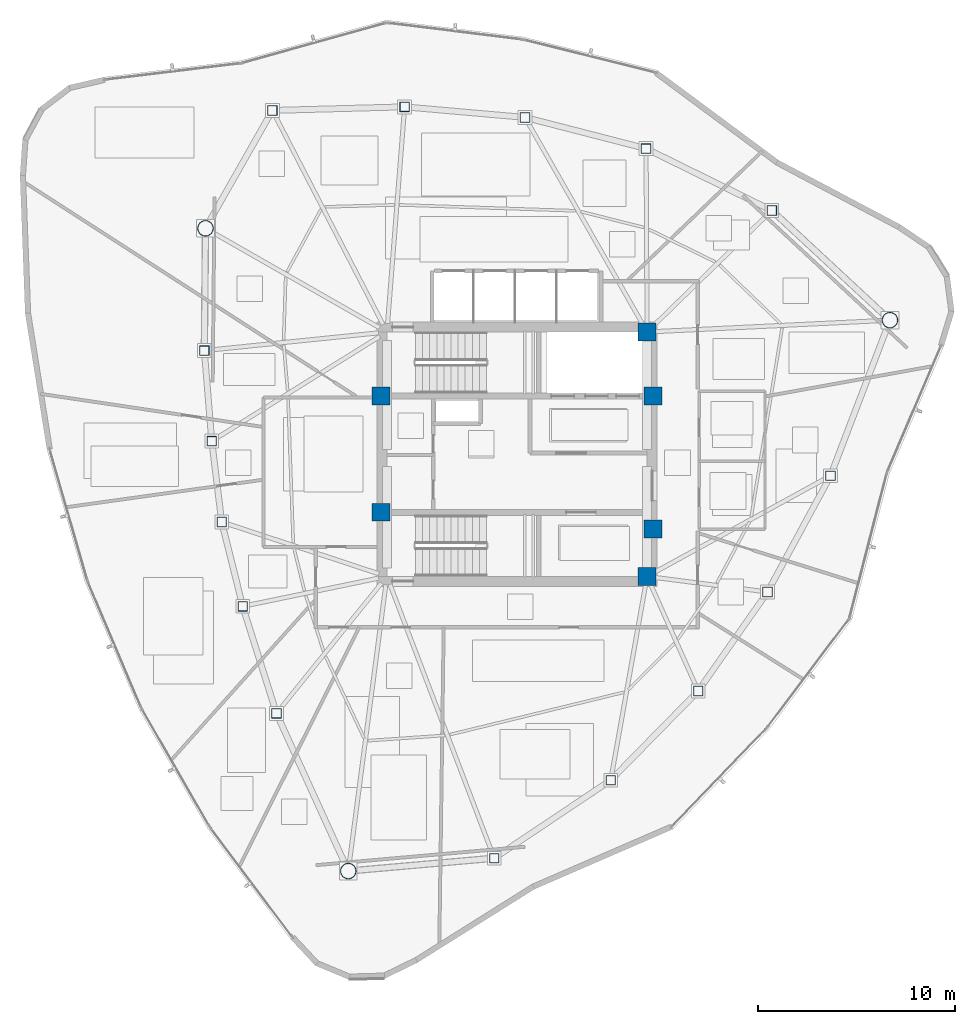
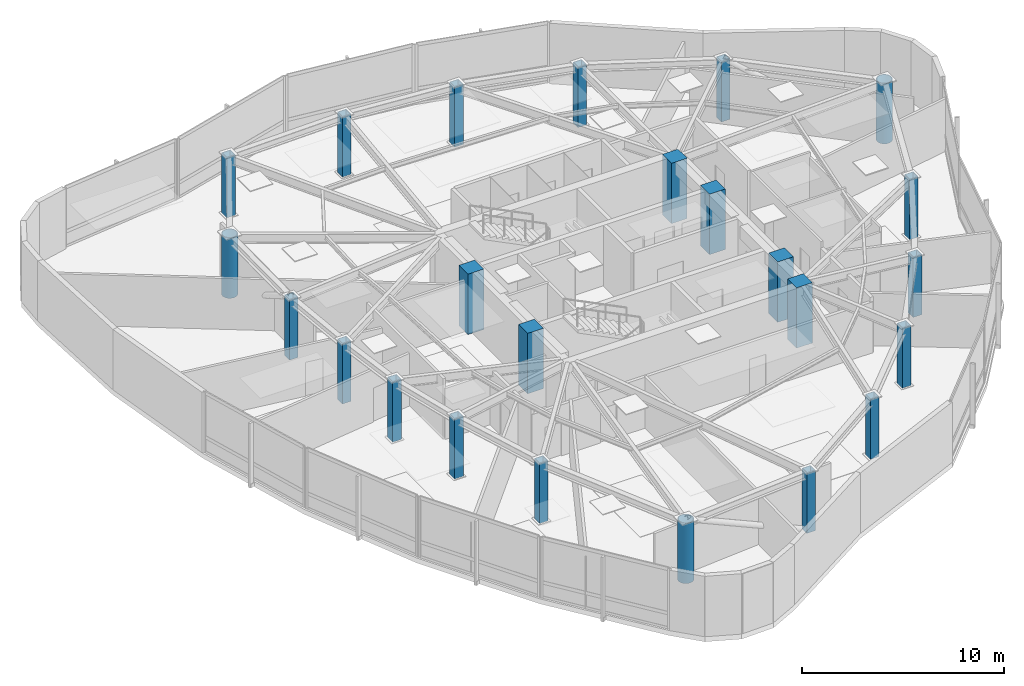
# One storey, part 1 of 14: 24 columns.
"""IFC4 building model written with IfcOpenShell, lengths in metres."""

from ifc_helpers import new_model, si_unit, direction, frame, origin, origin_2d, place, context, subcontext, project, spatial, rectangle, hollow_rectangle, hollow_circle, extrude, material, material_profile, profile_set, type_object, element, save


model = new_model("IFC4")

# Units and contexts
model_context = context("Model", 3, precision=1e-05, world=origin(), true_north=direction((0.0, 1.0)))
body_context = subcontext(model_context, "Body", "Model", "MODEL_VIEW")
ifc_project = project(units=[si_unit("LENGTHUNIT", "METRE"), si_unit("AREAUNIT", "SQUARE_METRE"), si_unit("VOLUMEUNIT", "CUBIC_METRE"), si_unit("PLANEANGLEUNIT", "RADIAN"), si_unit("MASSUNIT", "GRAM", prefix="KILO")], contexts=[model_context])

# Site, building, storey
site_placement = place(None, origin())
site = spatial("IfcSite", under=ifc_project, at=site_placement, CompositionType="ELEMENT")
building_placement = place(site_placement, origin())
building = spatial("IfcBuilding", under=site, at=building_placement, Name="Tavelor Broadcast Tower", CompositionType="ELEMENT")
storey_placement = place(building_placement, frame((0.0, 0.0, 249.800048828125)))
storey = spatial("IfcBuildingStorey", under=building, at=storey_placement, Name="L59", CompositionType="ELEMENT", Elevation=249.800048828125)

# Columns
ifc_material_1 = material(Name="Concrete C50/60", Category="concrete")
ifc_material_profile_1 = material_profile(ifc_material_1, rectangle(XDim=0.89990234375, YDim=0.89990234375, at=origin_2d()), Name="RC 900x900")
ifc_profile_set_1 = profile_set([ifc_material_profile_1], Name="Concrete C50/60")
column_type_1 = type_object("IfcColumnType", Name="Core Embedded Composite Column RC900", PredefinedType="COLUMN", material=ifc_profile_set_1)
for number, where, z_axis, x_axis, name in (
    (1, (43.10009765625, 47.949951171875, 0.0), (0.0, 0.0, 1.0), (1.0, 0.0, 0.0), "L59 Core Embedded Column 1"),
    (2, (56.89990234375, 47.949951171875, 0.0), (0.0, 0.0, 1.0), (1.0, 0.0, 0.0), "L59 Core Embedded Column 2"),
    (3, (56.60009765625, 51.199951171875, 0.0), (0.0, 0.0, 1.0), (1.0, 0.0, 0.0), "L59 Core Embedded Column 3"),
    (4, (43.10009765625, 42.050048828125, 0.0), (0.0, 0.0, 1.0), (1.0, 0.0, 0.0), "L59 Core Embedded Column 4"),
    (5, (56.89990234375, 41.199951171875, 0.0), (0.0, 0.0, 1.0), (1.0, 0.0, 0.0), "L59 Core Embedded Column 5"),
    (6, (56.60009765625, 38.800048828125, 0.0), (0.0, 0.0, 1.0), (1.0, 0.0, 0.0), "L59 Core Embedded Column 6"),
):
    element("IfcColumn", number, at=place(storey_placement, frame(where, z_axis=z_axis, x_axis=x_axis)), inside=storey, type_object=column_type_1, Name=name, PredefinedType="COLUMN", context=body_context, shape_type="SweptSolid", body=[
        extrude(rectangle(XDim=0.89990234375, YDim=0.89990234375, at=origin_2d()), origin(), (0.0, 0.0, 1.0), 3.64990234375),
    ])
ifc_material_2 = material(Name="Steel S460", Category="steel")
ifc_material_profile_2 = material_profile(ifc_material_2, hollow_rectangle(XDim=0.5, YDim=0.5, WallThickness=0.030029296875, at=origin_2d()), Name="SHS 500x500x30")
ifc_profile_set_2 = profile_set([ifc_material_profile_2], Name="Steel S460")
column_type_2 = type_object("IfcColumnType", Name="Perimeter Tube Column T6 SHS 500x500x30", PredefinedType="COLUMN", material=ifc_profile_set_2)
for number, where, z_axis, x_axis, name in (
    (7, (34.13720703125, 50.255859375, 0.0), (0.0, 0.0, 1.0), (1.0, 0.0, 0.0), "L59 Perimeter Framed-Tube Column 02"),
    (8, (34.513671875, 45.66455078125, 0.0), (0.0, 0.0, 1.0), (1.0, 0.0, 0.0), "L59 Perimeter Framed-Tube Column 03"),
    (9, (35.018798828125, 41.56396484375, 0.0), (0.0, 0.0, 1.0), (1.0, 0.0, 0.0), "L59 Perimeter Framed-Tube Column 04"),
    (10, (36.08349609375, 37.2822265625, 0.0), (0.0, 0.0, 1.0), (1.0, 0.0, 0.0), "L59 Perimeter Framed-Tube Column 05"),
    (11, (37.797119140625, 31.853271484375, 0.0), (0.0, 0.0, 1.0), (1.0, 0.0, 0.0), "L59 Perimeter Framed-Tube Column 06"),
    (12, (48.843994140625, 24.5048828125, 0.0), (0.0, 0.0, 1.0), (1.0, 0.0, 0.0), "L59 Perimeter Framed-Tube Column 08"),
    (13, (54.754150390625, 28.461669921875, 0.0), (0.0, 0.0, 1.0), (1.0, 0.0, 0.0), "L59 Perimeter Framed-Tube Column 09"),
    (14, (59.1923828125, 32.987060546875, 0.0), (0.0, 0.0, 1.0), (1.0, 0.0, 0.0), "L59 Perimeter Framed-Tube Column 10"),
    (15, (62.7109375, 38.009033203125, 0.0), (0.0, 0.0, 1.0), (1.0, 0.0, 0.0), "L59 Perimeter Framed-Tube Column 11"),
    (16, (65.9072265625, 43.909423828125, 0.0), (0.0, 0.0, 1.0), (1.0, 0.0, 0.0), "L59 Perimeter Framed-Tube Column 12"),
    (17, (62.92724609375, 57.364013671875, 0.0), (0.0, 0.0, 1.0), (1.0, 0.0, 0.0), "L59 Perimeter Framed-Tube Column 14"),
    (18, (56.545654296875, 60.504150390625, 0.0), (0.0, 0.0, 1.0), (1.0, 0.0, 0.0), "L59 Perimeter Framed-Tube Column 15"),
    (19, (50.4072265625, 62.0849609375, 0.0), (0.0, 0.0, 1.0), (1.0, 0.0, 0.0), "L59 Perimeter Framed-Tube Column 16"),
    (20, (44.298828125, 62.621337890625, 0.0), (0.0, 0.0, 1.0), (1.0, 0.0, 0.0), "L59 Perimeter Framed-Tube Column 17"),
    (21, (37.5908203125, 62.439208984375, 0.0), (0.0, 0.0, 1.0), (1.0, 0.0, 0.0), "L59 Perimeter Framed-Tube Column 18"),
):
    element("IfcColumn", number, at=place(storey_placement, frame(where, z_axis=z_axis, x_axis=x_axis)), inside=storey, type_object=column_type_2, Name=name, PredefinedType="COLUMN", context=body_context, shape_type="SweptSolid", body=[
        extrude(hollow_rectangle(XDim=0.5, YDim=0.5, WallThickness=0.030029296875, at=origin_2d()), origin(), (0.0, 0.0, 1.0), 3.64990234375),
    ])
ifc_material_profile_3 = material_profile(ifc_material_2, hollow_circle(Radius=0.406494140625, WallThickness=0.035888671875, at=origin_2d()), Name="CHS 813x36")
ifc_profile_set_3 = profile_set([ifc_material_profile_3], Name="Steel S460")
column_type_3 = type_object("IfcColumnType", Name="Tower Mega Column T6 CHS 813x36", PredefinedType="COLUMN", material=ifc_profile_set_3)
for number, where, z_axis, x_axis, name in (
    (22, (34.1962890625, 56.4599609375, 0.0), (0.0, 0.0, 1.0), (1.0, 0.0, 0.0), "L59 Tower Corner Mega Column 01"),
    (23, (41.440185546875, 23.853759765625, 0.0), (0.0, 0.0, 1.0), (1.0, 0.0, 0.0), "L59 Tower Corner Mega Column 07"),
    (24, (68.919677734375, 51.799072265625, 0.0), (0.0, 0.0, 1.0), (1.0, 0.0, 0.0), "L59 Tower Corner Mega Column 13"),
):
    element("IfcColumn", number, at=place(storey_placement, frame(where, z_axis=z_axis, x_axis=x_axis)), inside=storey, type_object=column_type_3, Name=name, PredefinedType="COLUMN", context=body_context, shape_type="SweptSolid", body=[
        extrude(hollow_circle(Radius=0.406494140625, WallThickness=0.035888671875, at=origin_2d()), origin(), (0.0, 0.0, 1.0), 3.64990234375),
    ])

save(model, "model.ifc")
